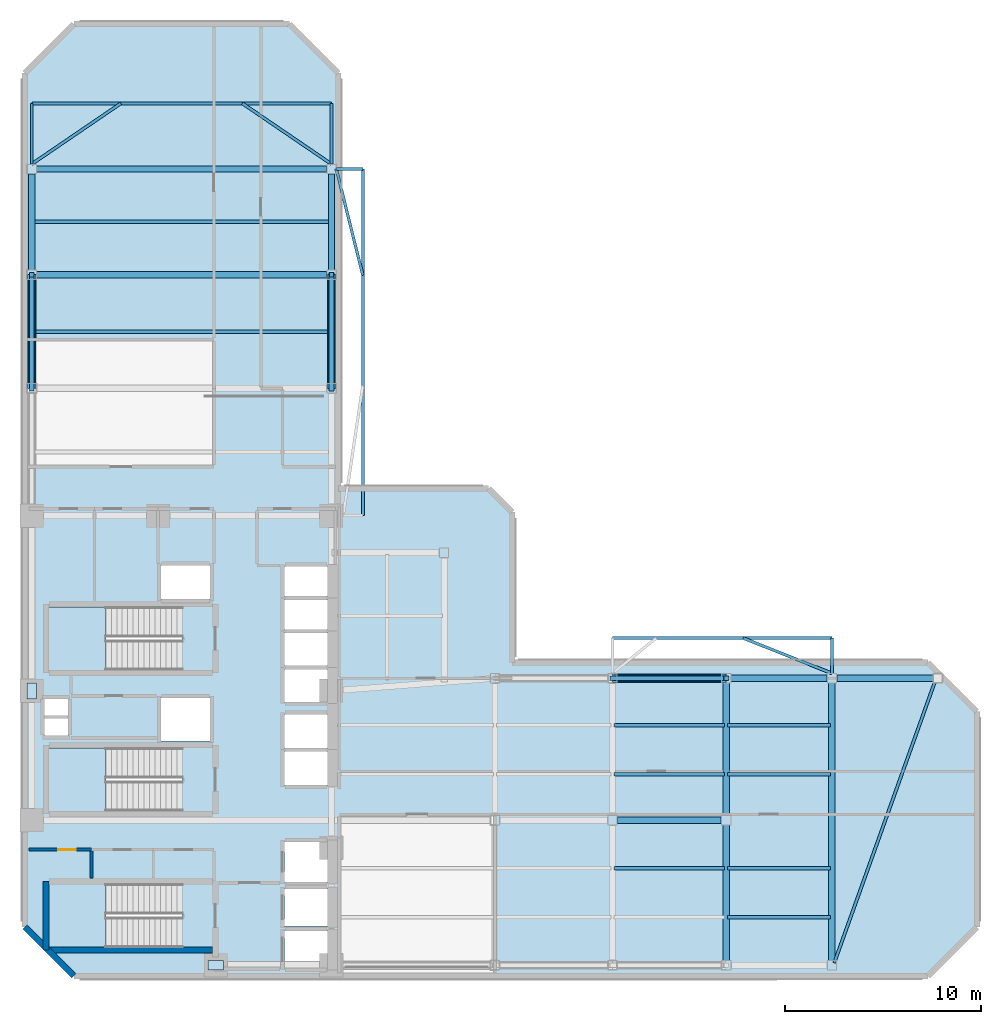
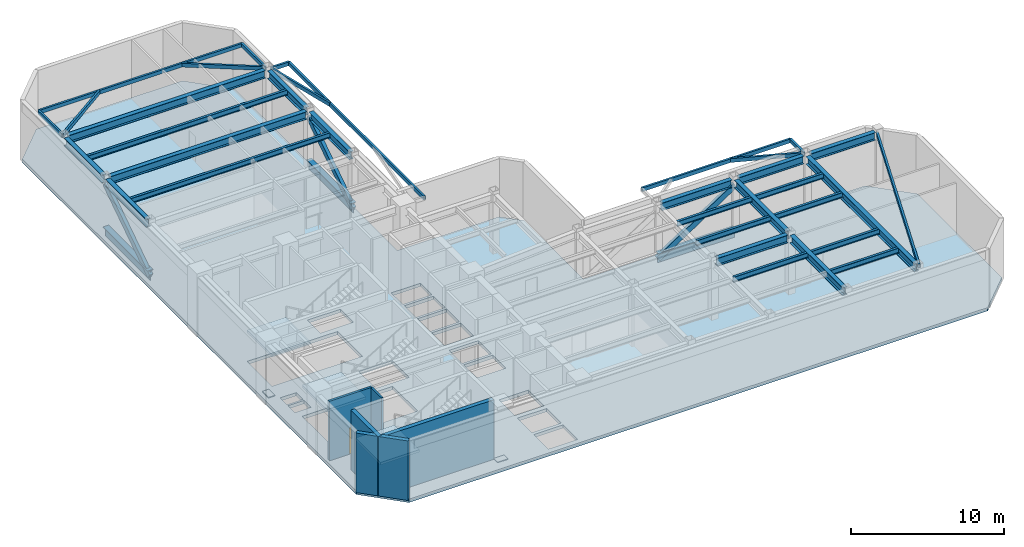
# One storey, part 2 of 9: 34 beams, 6 members, 5 walls, 4 slabs, 2 plates, 1 door, 1 opening, 3 elements without a shape of their own.
"""IFC4 building model written with IfcOpenShell, lengths in metres."""

from ifc_helpers import new_model, si_unit, direction, frame, frame_2d, origin, origin_2d, place, context, subcontext, project, spatial, polyline, rectangle, hollow_rectangle, i_section, outline, extrude, material, layer, layer_set, material_profile, profile_set, type_object, element, fill, aggregate, save


model = new_model("IFC4")

# Units and contexts
model_context = context("Model", 3, precision=1e-05, world=origin(), true_north=direction((0.0, 1.0)))
body_context = subcontext(model_context, "Body", "Model", "MODEL_VIEW")
ifc_project = project(units=[si_unit("LENGTHUNIT", "METRE"), si_unit("AREAUNIT", "SQUARE_METRE"), si_unit("VOLUMEUNIT", "CUBIC_METRE"), si_unit("PLANEANGLEUNIT", "RADIAN"), si_unit("MASSUNIT", "GRAM", prefix="KILO")], contexts=[model_context])

# Site, building, storey
site_placement = place(None, origin())
site = spatial("IfcSite", under=ifc_project, at=site_placement, CompositionType="ELEMENT")
building_placement = place(site_placement, origin())
building = spatial("IfcBuilding", under=site, at=building_placement, Name="Mawjaban Terraces University", CompositionType="ELEMENT")
storey_placement = place(building_placement, frame((0.0, 0.0, 165.800048828125)))
storey = spatial("IfcBuildingStorey", under=building, at=storey_placement, Name="L40", CompositionType="ELEMENT", Elevation=165.800048828125)

# Beams
ifc_material_1 = material(Name="Steel EN 10210-1 S355J2H", Category="steel")
ifc_material_profile_1 = material_profile(ifc_material_1, hollow_rectangle(XDim=0.14990234375, YDim=0.300048828125, WallThickness=0.012451171875, at=origin_2d()), Name="RHS300X150X12.5")
ifc_profile_set_1 = profile_set([ifc_material_profile_1], Name="Steel EN 10210-1 S355J2H")
beam_type_1 = type_object("IfcBeamType", Name="BalconyCantileverSpandrel_RHS", PredefinedType="SPANDREL", material=ifc_profile_set_1)
beam_1_placement = place(storey_placement, frame((63.199951171875, 15.449951171875, 4.58984375), z_axis=(0.0, 1.0, 0.0), x_axis=(-1.0, 0.0, 0.0)))
element("IfcBeam", 1, at=beam_1_placement, inside=storey, type_object=beam_type_1, Name="L40 Exterior Outrigger BAL-L41-N.2", PredefinedType="SPANDREL", context=body_context, shape_type="SweptSolid", body=[
    extrude(hollow_rectangle(XDim=0.14990234375, YDim=0.300048828125, WallThickness=0.012451171875, at=origin_2d()), origin(), (0.0, 0.0, 1.0), 1.800048828125),
])
beam_2_placement = place(storey_placement, frame((52.0, 17.25, 4.58984375), z_axis=(1.0, 0.0, 0.0), x_axis=(0.0, 1.0, 0.0)))
element("IfcBeam", 2, at=beam_2_placement, inside=storey, type_object=beam_type_1, Name="L40 Exterior Edge Spandrel BAL-L41-N", PredefinedType="SPANDREL", context=body_context, shape_type="SweptSolid", body=[
    extrude(hollow_rectangle(XDim=0.14990234375, YDim=0.300048828125, WallThickness=0.012451171875, at=origin_2d()), origin(), (0.0, 0.0, 1.0), 11.199951171875),
])
beam_3_placement = place(storey_placement, frame((63.199951171875, 15.449951171875, 4.58984375), z_axis=(-0.929320538258, 0.36927406783, 0.0), x_axis=(-0.36927406783, -0.929320538258, 0.0)))
element("IfcBeam", 3, at=beam_3_placement, inside=storey, type_object=beam_type_1, Name="L40 Exterior Diagonal Strut BAL-L41-N.2", PredefinedType="SPANDREL", context=body_context, shape_type="SweptSolid", body=[
    extrude(hollow_rectangle(XDim=0.14990234375, YDim=0.300048828125, WallThickness=0.012451171875, at=origin_2d()), origin(), (0.0, 0.0, 1.0), 4.87451171875),
])
beam_4_placement = place(storey_placement, frame((37.89990234375, 41.199951171875, 4.58984375), z_axis=(1.0, 0.0, 0.0), x_axis=(0.0, 1.0, 0.0)))
element("IfcBeam", 4, at=beam_4_placement, inside=storey, type_object=beam_type_1, Name="L40 Exterior Outrigger BAL-L41-E.2", PredefinedType="SPANDREL", context=body_context, shape_type="SweptSolid", body=[
    extrude(hollow_rectangle(XDim=0.14990234375, YDim=0.300048828125, WallThickness=0.012451171875, at=origin_2d()), origin(), (0.0, 0.0, 1.0), 1.35009765625),
])
beam_5_placement = place(storey_placement, frame((39.25, 23.5, 4.58984375), z_axis=(0.0, 1.0, 0.0), x_axis=(-1.0, 0.0, 0.0)))
element("IfcBeam", 5, at=beam_5_placement, inside=storey, type_object=beam_type_1, Name="L40 Exterior Edge Spandrel BAL-L41-E", PredefinedType="SPANDREL", context=body_context, shape_type="SweptSolid", body=[
    extrude(hollow_rectangle(XDim=0.14990234375, YDim=0.300048828125, WallThickness=0.012451171875, at=origin_2d()), origin(), (0.0, 0.0, 1.0), 17.699951171875),
])
beam_6_placement = place(storey_placement, frame((37.89990234375, 41.199951171875, 4.58984375), z_axis=(0.241293155296, -0.970452272503, 0.0), x_axis=(0.970452272503, 0.241293155296, 0.0)))
element("IfcBeam", 6, at=beam_6_placement, inside=storey, type_object=beam_type_1, Name="L40 Exterior Diagonal Strut BAL-L41-E.2", PredefinedType="SPANDREL", context=body_context, shape_type="SweptSolid", body=[
    extrude(hollow_rectangle(XDim=0.14990234375, YDim=0.300048828125, WallThickness=0.012451171875, at=origin_2d()), origin(), (0.0, 0.0, 1.0), 5.59521484375),
])
beam_7_placement = place(storey_placement, frame((63.320068359375, 0.669921875, 4.58984375), z_axis=(0.33711432134, 0.941463719082, 0.0), x_axis=(-0.941463719082, 0.33711432134, 0.0)))
element("IfcBeam", 7, at=beam_7_placement, inside=storey, type_object=beam_type_1, Name="L40 Setback Terrace Diagonal TER-L41-EAST.1", PredefinedType="SPANDREL", context=body_context, shape_type="SweptSolid", body=[
    extrude(hollow_rectangle(XDim=0.14990234375, YDim=0.300048828125, WallThickness=0.012451171875, at=origin_2d()), origin(), (0.0, 0.0, 1.0), 15.30615234375),
])
for number, where, z_axis, x_axis, name in (
    (8, (22.35009765625, 41.449951171875, 4.58984375), (0.0, 1.0, 0.0), (-1.0, 0.0, 0.0), "L40 Exterior Outrigger TER-L41-NORTH.1"),
    (9, (37.64990234375, 41.449951171875, 4.58984375), (0.0, 1.0, 0.0), (-1.0, 0.0, 0.0), "L40 Exterior Outrigger TER-L41-NORTH.2"),
):
    element("IfcBeam", number, at=place(storey_placement, frame(where, z_axis=z_axis, x_axis=x_axis)), inside=storey, type_object=beam_type_1, Name=name, PredefinedType="SPANDREL", context=body_context, shape_type="SweptSolid", body=[
        extrude(hollow_rectangle(XDim=0.14990234375, YDim=0.300048828125, WallThickness=0.012451171875, at=origin_2d()), origin(), (0.0, 0.0, 1.0), 3.10009765625),
    ])
beam_8_placement = place(storey_placement, frame((22.35009765625, 44.550048828125, 4.58984375), z_axis=(1.0, 0.0, 0.0), x_axis=(0.0, 1.0, 0.0)))
element("IfcBeam", 10, at=beam_8_placement, inside=storey, type_object=beam_type_1, Name="L40 Exterior Edge Spandrel TER-L41-NORTH", PredefinedType="SPANDREL", context=body_context, shape_type="SweptSolid", body=[
    extrude(hollow_rectangle(XDim=0.14990234375, YDim=0.300048828125, WallThickness=0.012451171875, at=origin_2d()), origin(), (0.0, 0.0, 1.0), 15.2998046875),
])
for number, where, z_axis, x_axis, name in (
    (11, (22.35009765625, 41.449951171875, 4.58984375), (0.826399927714, 0.563083616769, 0.0), (-0.563083616769, 0.826399927714, 0.0), "L40 Exterior Diagonal Strut TER-L41-NORTH.1"),
    (12, (37.64990234375, 41.449951171875, 4.58984375), (-0.826399927714, 0.563083616769, 0.0), (-0.563083616769, -0.826399927714, 0.0), "L40 Exterior Diagonal Strut TER-L41-NORTH.2"),
):
    element("IfcBeam", number, at=place(storey_placement, frame(where, z_axis=z_axis, x_axis=x_axis)), inside=storey, type_object=beam_type_1, Name=name, PredefinedType="SPANDREL", context=body_context, shape_type="SweptSolid", body=[
        extrude(hollow_rectangle(XDim=0.14990234375, YDim=0.300048828125, WallThickness=0.012451171875, at=origin_2d()), origin(), (0.0, 0.0, 1.0), 5.505615234375),
    ])
ifc_material_2 = material(Name="Steel ASTM A572 Grade 50", Category="steel")
ifc_material_profile_2 = material_profile(ifc_material_2, i_section(OverallWidth=0.324951171875, OverallDepth=0.615966796875, WebThickness=0.013916015625, FlangeThickness=0.021484375, at=origin_2d()), Name="W610X174")
ifc_profile_set_2 = profile_set([ifc_material_profile_2], Name="Steel ASTM A572 Grade 50")
beam_type_2 = type_object("IfcBeamType", Name="Beam_B_W610X174", PredefinedType="BEAM", material=ifc_profile_set_2)
for number, where, z_axis, x_axis, name in (
    (13, (52.25, 7.949951171875, 4.431884765625), (1.0, 0.0, 0.0), (0.0, 1.0, 0.0), "L40 Beam BM-L40-EW-07"),
    (14, (52.25, 15.199951171875, 4.431884765625), (1.0, 0.0, 0.0), (0.0, 1.0, 0.0), "L40 Beam BM-L40-EW-09"),
):
    element("IfcBeam", number, at=place(storey_placement, frame(where, z_axis=z_axis, x_axis=x_axis)), inside=storey, type_object=beam_type_2, Name=name, PredefinedType="BEAM", context=body_context, shape_type="SweptSolid", body=[
        extrude(i_section(OverallWidth=0.324951171875, OverallDepth=0.615966796875, WebThickness=0.013916015625, FlangeThickness=0.021484375, at=origin_2d()), origin(), (0.0, 0.0, 1.0), 5.300048828125),
    ])
beam_9_placement = place(storey_placement, frame((58.050048828125, 15.199951171875, 4.431884765625), z_axis=(1.0, 0.0, 0.0), x_axis=(0.0, 1.0, 0.0)))
element("IfcBeam", 15, at=beam_9_placement, inside=storey, type_object=beam_type_2, Name="L40 Beam BM-L40-EW-10", PredefinedType="BEAM", context=body_context, shape_type="SweptSolid", body=[
    extrude(i_section(OverallWidth=0.324951171875, OverallDepth=0.615966796875, WebThickness=0.013916015625, FlangeThickness=0.021484375, at=origin_2d()), origin(), (0.0, 0.0, 1.0), 4.89990234375),
])
beam_10_placement = place(storey_placement, frame((63.449951171875, 15.199951171875, 4.431884765625), z_axis=(1.0, 0.0, 0.0), x_axis=(0.0, 1.0, 0.0)))
element("IfcBeam", 16, at=beam_10_placement, inside=storey, type_object=beam_type_2, Name="L40 Beam BM-L40-EW-11", PredefinedType="BEAM", context=body_context, shape_type="SweptSolid", body=[
    extrude(i_section(OverallWidth=0.324951171875, OverallDepth=0.615966796875, WebThickness=0.013916015625, FlangeThickness=0.021484375, at=origin_2d()), origin(), (0.0, 0.0, 1.0), 4.900146484375),
])
for number, where, z_axis, x_axis, name in (
    (17, (22.60009765625, 35.800048828125, 4.431884765625), (1.0, 0.0, 0.0), (0.0, 1.0, 0.0), "L40 Beam BM-L40-EW-15"),
    (18, (22.60009765625, 41.199951171875, 4.431884765625), (1.0, 0.0, 0.0), (0.0, 1.0, 0.0), "L40 Beam BM-L40-EW-16"),
):
    element("IfcBeam", number, at=place(storey_placement, frame(where, z_axis=z_axis, x_axis=x_axis)), inside=storey, type_object=beam_type_2, Name=name, PredefinedType="BEAM", context=body_context, shape_type="SweptSolid", body=[
        extrude(i_section(OverallWidth=0.324951171875, OverallDepth=0.615966796875, WebThickness=0.013916015625, FlangeThickness=0.021484375, at=origin_2d()), origin(), (0.0, 0.0, 1.0), 14.7998046875),
    ])
beam_11_placement = place(storey_placement, frame((22.35009765625, 30.25, 4.431884765625), z_axis=(0.0, 1.0, 0.0), x_axis=(-1.0, 0.0, 0.0)))
element("IfcBeam", 19, at=beam_11_placement, inside=storey, type_object=beam_type_2, Name="L40 Beam BM-L40-NS-04", PredefinedType="BEAM", context=body_context, shape_type="SweptSolid", body=[
    extrude(i_section(OverallWidth=0.324951171875, OverallDepth=0.615966796875, WebThickness=0.013916015625, FlangeThickness=0.021484375, at=origin_2d()), origin(), (0.0, 0.0, 1.0), 5.300048828125),
])
beam_12_placement = place(storey_placement, frame((22.35009765625, 36.050048828125, 4.431884765625), z_axis=(0.0, 1.0, 0.0), x_axis=(-1.0, 0.0, 0.0)))
element("IfcBeam", 20, at=beam_12_placement, inside=storey, type_object=beam_type_2, Name="L40 Beam BM-L40-NS-05", PredefinedType="BEAM", context=body_context, shape_type="SweptSolid", body=[
    extrude(i_section(OverallWidth=0.324951171875, OverallDepth=0.615966796875, WebThickness=0.013916015625, FlangeThickness=0.021484375, at=origin_2d()), origin(), (0.0, 0.0, 1.0), 4.89990234375),
])
beam_13_placement = place(storey_placement, frame((37.64990234375, 30.25, 4.431884765625), z_axis=(0.0, 1.0, 0.0), x_axis=(-1.0, 0.0, 0.0)))
element("IfcBeam", 21, at=beam_13_placement, inside=storey, type_object=beam_type_2, Name="L40 Beam BM-L40-NS-10", PredefinedType="BEAM", context=body_context, shape_type="SweptSolid", body=[
    extrude(i_section(OverallWidth=0.324951171875, OverallDepth=0.615966796875, WebThickness=0.013916015625, FlangeThickness=0.021484375, at=origin_2d()), origin(), (0.0, 0.0, 1.0), 5.300048828125),
])
beam_14_placement = place(storey_placement, frame((37.64990234375, 36.050048828125, 4.431884765625), z_axis=(0.0, 1.0, 0.0), x_axis=(-1.0, 0.0, 0.0)))
element("IfcBeam", 22, at=beam_14_placement, inside=storey, type_object=beam_type_2, Name="L40 Beam BM-L40-NS-11", PredefinedType="BEAM", context=body_context, shape_type="SweptSolid", body=[
    extrude(i_section(OverallWidth=0.324951171875, OverallDepth=0.615966796875, WebThickness=0.013916015625, FlangeThickness=0.021484375, at=origin_2d()), origin(), (0.0, 0.0, 1.0), 4.89990234375),
])
beam_15_placement = place(storey_placement, frame((57.800048828125, 0.800048828125, 4.431884765625), z_axis=(0.0, 1.0, 0.0), x_axis=(-1.0, 0.0, 0.0)))
element("IfcBeam", 23, at=beam_15_placement, inside=storey, type_object=beam_type_2, Name="L40 Beam BM-L40-NS-16", PredefinedType="BEAM", context=body_context, shape_type="SweptSolid", body=[
    extrude(i_section(OverallWidth=0.324951171875, OverallDepth=0.615966796875, WebThickness=0.013916015625, FlangeThickness=0.021484375, at=origin_2d()), origin(), (0.0, 0.0, 1.0), 6.89990234375),
])
beam_16_placement = place(storey_placement, frame((57.800048828125, 8.199951171875, 4.431884765625), z_axis=(0.0, 1.0, 0.0), x_axis=(-1.0, 0.0, 0.0)))
element("IfcBeam", 24, at=beam_16_placement, inside=storey, type_object=beam_type_2, Name="L40 Beam BM-L40-NS-17", PredefinedType="BEAM", context=body_context, shape_type="SweptSolid", body=[
    extrude(i_section(OverallWidth=0.324951171875, OverallDepth=0.615966796875, WebThickness=0.013916015625, FlangeThickness=0.021484375, at=origin_2d()), origin(), (0.0, 0.0, 1.0), 6.75),
])
beam_17_placement = place(storey_placement, frame((63.199951171875, 0.800048828125, 4.431884765625), z_axis=(0.0, 1.0, 0.0), x_axis=(-1.0, 0.0, 0.0)))
element("IfcBeam", 25, at=beam_17_placement, inside=storey, type_object=beam_type_2, Name="L40 Beam BM-L40-NS-18", PredefinedType="BEAM", context=body_context, shape_type="SweptSolid", body=[
    extrude(i_section(OverallWidth=0.324951171875, OverallDepth=0.615966796875, WebThickness=0.013916015625, FlangeThickness=0.021484375, at=origin_2d()), origin(), (0.0, 0.0, 1.0), 14.14990234375),
])
ifc_material_profile_3 = material_profile(ifc_material_2, i_section(OverallWidth=0.179931640625, OverallDepth=0.4130859375, WebThickness=0.009765625, FlangeThickness=0.01611328125, at=origin_2d()), Name="W410X74")
ifc_profile_set_3 = profile_set([ifc_material_profile_3], Name="Steel ASTM A572 Grade 50")
beam_type_3 = type_object("IfcBeamType", Name="Beam_J_W410X74", PredefinedType="JOIST", material=ifc_profile_set_3)
beam_18_placement = place(storey_placement, frame((57.8798828125, 3.0, 4.532958984375), z_axis=(1.0, 0.0, 0.0), x_axis=(0.0, 1.0, 0.0)))
element("IfcBeam", 26, at=beam_18_placement, inside=storey, type_object=beam_type_3, Name="L40 Composite Joist JST-L40-04", PredefinedType="JOIST", context=body_context, shape_type="SweptSolid", body=[
    extrude(i_section(OverallWidth=0.179931640625, OverallDepth=0.4130859375, WebThickness=0.009765625, FlangeThickness=0.01611328125, at=origin_2d()), origin(), (0.0, 0.0, 1.0), 5.240234375),
])
beam_19_placement = place(storey_placement, frame((52.080078125, 5.5, 4.532958984375), z_axis=(1.0, 0.0, 0.0), x_axis=(0.0, 1.0, 0.0)))
element("IfcBeam", 27, at=beam_19_placement, inside=storey, type_object=beam_type_3, Name="L40 Composite Joist JST-L40-07", PredefinedType="JOIST", context=body_context, shape_type="SweptSolid", body=[
    extrude(i_section(OverallWidth=0.179931640625, OverallDepth=0.4130859375, WebThickness=0.009765625, FlangeThickness=0.01611328125, at=origin_2d()), origin(), (0.0, 0.0, 1.0), 5.639892578125),
])
beam_20_placement = place(storey_placement, frame((57.8798828125, 5.5, 4.532958984375), z_axis=(1.0, 0.0, 0.0), x_axis=(0.0, 1.0, 0.0)))
element("IfcBeam", 28, at=beam_20_placement, inside=storey, type_object=beam_type_3, Name="L40 Composite Joist JST-L40-08", PredefinedType="JOIST", context=body_context, shape_type="SweptSolid", body=[
    extrude(i_section(OverallWidth=0.179931640625, OverallDepth=0.4130859375, WebThickness=0.009765625, FlangeThickness=0.01611328125, at=origin_2d()), origin(), (0.0, 0.0, 1.0), 5.240234375),
])
beam_21_placement = place(storey_placement, frame((52.080078125, 10.300048828125, 4.532958984375), z_axis=(1.0, 0.0, 0.0), x_axis=(0.0, 1.0, 0.0)))
element("IfcBeam", 29, at=beam_21_placement, inside=storey, type_object=beam_type_3, Name="L40 Composite Joist JST-L40-11", PredefinedType="JOIST", context=body_context, shape_type="SweptSolid", body=[
    extrude(i_section(OverallWidth=0.179931640625, OverallDepth=0.4130859375, WebThickness=0.009765625, FlangeThickness=0.01611328125, at=origin_2d()), origin(), (0.0, 0.0, 1.0), 5.639892578125),
])
beam_22_placement = place(storey_placement, frame((57.8798828125, 10.300048828125, 4.532958984375), z_axis=(1.0, 0.0, 0.0), x_axis=(0.0, 1.0, 0.0)))
element("IfcBeam", 30, at=beam_22_placement, inside=storey, type_object=beam_type_3, Name="L40 Composite Joist JST-L40-12", PredefinedType="JOIST", context=body_context, shape_type="SweptSolid", body=[
    extrude(i_section(OverallWidth=0.179931640625, OverallDepth=0.4130859375, WebThickness=0.009765625, FlangeThickness=0.01611328125, at=origin_2d()), origin(), (0.0, 0.0, 1.0), 5.240234375),
])
beam_23_placement = place(storey_placement, frame((52.080078125, 12.800048828125, 4.532958984375), z_axis=(1.0, 0.0, 0.0), x_axis=(0.0, 1.0, 0.0)))
element("IfcBeam", 31, at=beam_23_placement, inside=storey, type_object=beam_type_3, Name="L40 Composite Joist JST-L40-15", PredefinedType="JOIST", context=body_context, shape_type="SweptSolid", body=[
    extrude(i_section(OverallWidth=0.179931640625, OverallDepth=0.4130859375, WebThickness=0.009765625, FlangeThickness=0.01611328125, at=origin_2d()), origin(), (0.0, 0.0, 1.0), 5.639892578125),
])
beam_24_placement = place(storey_placement, frame((57.8798828125, 12.800048828125, 4.532958984375), z_axis=(1.0, 0.0, 0.0), x_axis=(0.0, 1.0, 0.0)))
element("IfcBeam", 32, at=beam_24_placement, inside=storey, type_object=beam_type_3, Name="L40 Composite Joist JST-L40-16", PredefinedType="JOIST", context=body_context, shape_type="SweptSolid", body=[
    extrude(i_section(OverallWidth=0.179931640625, OverallDepth=0.4130859375, WebThickness=0.009765625, FlangeThickness=0.01611328125, at=origin_2d()), origin(), (0.0, 0.0, 1.0), 5.240234375),
])
for number, where, z_axis, x_axis, name in (
    (33, (22.429931640625, 32.89990234375, 4.532958984375), (1.0, 0.0, 0.0), (0.0, 1.0, 0.0), "L40 Composite Joist JST-L40-19"),
    (34, (22.429931640625, 38.5, 4.532958984375), (1.0, 0.0, 0.0), (0.0, 1.0, 0.0), "L40 Composite Joist JST-L40-20"),
):
    element("IfcBeam", number, at=place(storey_placement, frame(where, z_axis=z_axis, x_axis=x_axis)), inside=storey, type_object=beam_type_3, Name=name, PredefinedType="JOIST", context=body_context, shape_type="SweptSolid", body=[
        extrude(i_section(OverallWidth=0.179931640625, OverallDepth=0.4130859375, WebThickness=0.009765625, FlangeThickness=0.01611328125, at=origin_2d()), origin(), (0.0, 0.0, 1.0), 15.14013671875),
    ])

# Members
ifc_material_3 = material(Name="Steel ASTM A913 Grade 65", Category="steel")
ifc_material_profile_4 = material_profile(ifc_material_3, hollow_rectangle(XDim=0.25, YDim=0.449951171875, WallThickness=0.01611328125, at=origin_2d()), Name="RHS450X250X16")
ifc_profile_set_4 = profile_set([ifc_material_profile_4], Name="Steel ASTM A913 Grade 65")
member_type_1 = type_object("IfcMemberType", Name="Mem_BRACE_RHS450X250X16", PredefinedType="BRACE", material=ifc_profile_set_4)
for number, where, z_axis, x_axis, name in (
    (35, (52.0, 15.199951171875, 0.349853515625), (0.833811754242, 0.0, 0.552048873278), (0.0, 1.0, 0.0), "L40 Belt Truss Brace BE3"),
    (36, (22.35009765625, 30.0, 0.349853515625), (0.0, 0.833811754242, 0.552048873278), (-1.0, 0.0, 0.0), "L40 Belt Truss Brace BW2"),
    (37, (37.64990234375, 30.0, 0.349853515625), (0.0, 0.833811754242, 0.552048873278), (-1.0, 0.0, 0.0), "L40 Belt Truss Brace BN2"),
):
    element("IfcMember", number, at=place(storey_placement, frame(where, z_axis=z_axis, x_axis=x_axis)), inside=storey, type_object=member_type_1, Name=name, PredefinedType="BRACE", context=body_context, shape_type="SweptSolid", body=[
        extrude(hollow_rectangle(XDim=0.25, YDim=0.449951171875, WallThickness=0.01611328125, at=origin_2d()), origin(), (0.0, 0.0, 1.0), 6.9560546875),
    ])
ifc_material_profile_5 = material_profile(ifc_material_3, i_section(OverallWidth=0.41796875, OverallDepth=0.912109375, WebThickness=0.019287109375, FlangeThickness=0.031982421875, at=origin_2d()), Name="W920X342")
ifc_profile_set_5 = profile_set([ifc_material_profile_5], Name="Steel ASTM A913 Grade 65")
member_type_2 = type_object("IfcMemberType", Name="Mem_CHORD_W920X342", PredefinedType="CHORD", material=ifc_profile_set_5)
for number, where, z_axis, x_axis, name in (
    (38, (52.0, 15.199951171875, 0.349853515625), (1.0, 0.0, 0.0), (0.0, 1.0, 0.0), "L40 Belt Truss Chord BE3"),
    (39, (22.35009765625, 30.0, 0.349853515625), (0.0, 1.0, 0.0), (-1.0, 0.0, 0.0), "L40 Belt Truss Chord BW2"),
    (40, (37.64990234375, 30.0, 0.349853515625), (0.0, 1.0, 0.0), (-1.0, 0.0, 0.0), "L40 Belt Truss Chord BN2"),
):
    element("IfcMember", number, at=place(storey_placement, frame(where, z_axis=z_axis, x_axis=x_axis)), inside=storey, type_object=member_type_2, Name=name, PredefinedType="CHORD", context=body_context, shape_type="SweptSolid", body=[
        extrude(i_section(OverallWidth=0.41796875, OverallDepth=0.912109375, WebThickness=0.019287109375, FlangeThickness=0.031982421875, at=origin_2d()), origin(), (0.0, 0.0, 1.0), 5.800048828125),
    ])

# Slab
ifc_material_4 = material(Name="Concrete C40/50", Category="concrete")
ifc_layer_1 = layer(ifc_material_4, 0.260009765625)
ifc_layer_set_1 = layer_set([ifc_layer_1], Name="Concrete C40/50")
slab_type_1 = type_object("IfcSlabType", Name="DiaphragmSlab_260", PredefinedType="FLOOR", material=ifc_layer_set_1)
slab_1_placement = place(storey_placement, frame((0.0, 0.0, -0.260009765625)))
element("IfcSlab", 41, at=slab_1_placement, inside=storey, type_object=slab_type_1, Name="L40 Primary Structural Slab", PredefinedType="FLOOR", context=body_context, shape_type="SweptSolid", body=[
    extrude(outline(polyline([(24.5, 0.0), (68.10009765625, 0.0), (70.60009765625, 2.5), (70.60009765625, 13.5), (68.10009765625, 16.0), (46.8798828125, 16.0), (46.8798828125, 23.679931640625), (45.679931640625, 24.8798828125), (38.0, 24.8798828125), (38.0, 46.10009765625), (35.5, 48.60009765625), (24.5, 48.60009765625), (22.0, 46.10009765625), (22.0, 2.5), (24.5, 0.0)]), holes=[polyline([(30.014892578125, 4.699951171875), (23.199951171875, 4.699951171875), (23.199951171875, 1.449951171875), (30.014892578125, 1.449951171875), (30.014892578125, 4.699951171875)]), polyline([(30.014892578125, 18.85009765625), (23.199951171875, 18.85009765625), (23.199951171875, 15.60009765625), (30.014892578125, 15.60009765625), (30.014892578125, 18.85009765625)]), polyline([(30.014892578125, 11.64990234375), (23.199951171875, 11.64990234375), (23.199951171875, 8.39990234375), (30.014892578125, 8.39990234375), (30.014892578125, 11.64990234375)]), polyline([(35.25, 0.39990234375), (37.449951171875, 0.39990234375), (37.449951171875, 2.300048828125), (35.25, 2.300048828125), (35.25, 0.39990234375)]), polyline([(35.25, 2.550048828125), (37.449951171875, 2.550048828125), (37.449951171875, 4.449951171875), (35.25, 4.449951171875), (35.25, 2.550048828125)]), polyline([(35.25, 4.800048828125), (37.449951171875, 4.800048828125), (37.449951171875, 6.85009765625), (35.25, 6.85009765625), (35.25, 4.800048828125)]), polyline([(35.25, 9.75), (37.449951171875, 9.75), (37.449951171875, 11.449951171875), (35.25, 11.449951171875), (35.25, 9.75)]), polyline([(35.25, 11.64990234375), (37.449951171875, 11.64990234375), (37.449951171875, 13.35009765625), (35.25, 13.35009765625), (35.25, 11.64990234375)]), polyline([(28.949951171875, 12.0), (31.449951171875, 12.0), (31.449951171875, 14.199951171875), (28.949951171875, 14.199951171875), (28.949951171875, 12.0)]), polyline([(35.25, 14.0), (37.449951171875, 14.0), (37.449951171875, 15.64990234375), (35.25, 15.64990234375), (35.25, 14.0)]), polyline([(35.25, 15.85009765625), (37.449951171875, 15.85009765625), (37.449951171875, 17.5), (35.25, 17.5), (35.25, 15.85009765625)]), polyline([(35.25, 17.699951171875), (37.449951171875, 17.699951171875), (37.449951171875, 19.199951171875), (35.25, 19.199951171875), (35.25, 17.699951171875)]), polyline([(35.25, 19.39990234375), (37.449951171875, 19.39990234375), (37.449951171875, 20.89990234375), (35.25, 20.89990234375), (35.25, 19.39990234375)]), polyline([(28.949951171875, 19.25), (31.449951171875, 19.25), (31.449951171875, 20.949951171875), (28.949951171875, 20.949951171875), (28.949951171875, 19.25)]), polyline([(23.0, 12.25), (24.199951171875, 12.25), (24.199951171875, 13.14990234375), (23.0, 13.14990234375), (23.0, 12.25)]), polyline([(23.0, 13.300048828125), (24.199951171875, 13.300048828125), (24.199951171875, 14.179931640625), (23.0, 14.179931640625), (23.0, 13.300048828125)])]), origin(), (0.0, 0.0, 1.0), 0.260009765625),
])

# Plates
ifc_layer_2 = layer(ifc_material_2, 0.050048828125)
ifc_layer_set_2 = layer_set([ifc_layer_2], Name="Steel ASTM A572 Grade 50")
plate_type = type_object("IfcPlateType", Name="OutriggerEmbedPlate_50", PredefinedType="USERDEFINED", material=ifc_layer_set_2)
for number, where, z_axis, x_axis, name in (
    (42, (31.75, 0.550048828125, 0.32470703125), (0.0, 0.0, 1.0), (1.0, 0.0, 0.0), "L40 Outrigger Core Embed Plate OUT-E1"),
    (43, (22.35009765625, 14.550048828125, 0.32470703125), (0.0, 0.0, 1.0), (0.0, 1.0, 0.0), "L40 Outrigger Core Embed Plate OUT-N1"),
):
    element("IfcPlate", number, at=place(storey_placement, frame(where, z_axis=z_axis, x_axis=x_axis)), inside=storey, type_object=plate_type, Name=name, ObjectType="GUSSET_PLATE", PredefinedType="USERDEFINED", context=body_context, shape_type="SweptSolid", body=[
        extrude(rectangle(XDim=0.800048828125, YDim=0.5, at=origin_2d()), origin(), (0.0, 0.0, 1.0), 0.050048828125),
    ])

# Stair, slab
stair_type = type_object("IfcStairType", Name="Stair_Core1550_H50", PredefinedType="HALF_TURN_STAIR", material=ifc_material_4)
stair_1_placement = place(storey_placement, origin())
stair_1 = element("IfcStair", 44, at=stair_1_placement, inside=storey, type_object=stair_type, Name="L40 Core Exit Stair 1", PredefinedType="HALF_TURN_STAIR")
ifc_layer_3 = layer(ifc_material_4, 0.199951171875)
ifc_layer_set_3 = layer_set([ifc_layer_3], Name="Concrete C40/50")
slab_type_2 = type_object("IfcSlabType", Name="StairLandingSlab_200", PredefinedType="LANDING", material=ifc_layer_set_3)
slab_2_placement = place(storey_placement, frame((0.0, 0.0, 2.300048828125)))
slab_2 = element("IfcSlab", 45, at=slab_2_placement, type_object=slab_type_2, Name="ST-1 landing 1", PredefinedType="LANDING", context=body_context, shape_type="SweptSolid", body=[
    extrude(outline(polyline([(26.1298828125, 4.699951171875), (23.199951171875, 4.699951171875), (23.199951171875, 1.449951171875), (26.1298828125, 1.449951171875), (26.1298828125, 4.699951171875)])), origin(), (0.0, 0.0, 1.0), 0.199951171875),
])
aggregate(stair_1, [slab_2])

stair_2_placement = place(storey_placement, origin())
stair_2 = element("IfcStair", 46, at=stair_2_placement, inside=storey, type_object=stair_type, Name="L40 Core Exit Stair 2", PredefinedType="HALF_TURN_STAIR")
slab_3_placement = place(storey_placement, frame((0.0, 0.0, 2.300048828125)))
slab_3 = element("IfcSlab", 47, at=slab_3_placement, type_object=slab_type_2, Name="ST-2 landing 1", PredefinedType="LANDING", context=body_context, shape_type="SweptSolid", body=[
    extrude(outline(polyline([(26.1298828125, 18.85009765625), (23.199951171875, 18.85009765625), (23.199951171875, 15.60009765625), (26.1298828125, 15.60009765625), (26.1298828125, 18.85009765625)])), origin(), (0.0, 0.0, 1.0), 0.199951171875),
])
aggregate(stair_2, [slab_3])

stair_3_placement = place(storey_placement, origin())
stair_3 = element("IfcStair", 48, at=stair_3_placement, inside=storey, type_object=stair_type, Name="L40 Core Exit Stair 3", PredefinedType="HALF_TURN_STAIR")
slab_4_placement = place(storey_placement, frame((0.0, 0.0, 2.300048828125)))
slab_4 = element("IfcSlab", 49, at=slab_4_placement, type_object=slab_type_2, Name="ST-3 landing 1", PredefinedType="LANDING", context=body_context, shape_type="SweptSolid", body=[
    extrude(outline(polyline([(26.1298828125, 11.64990234375), (23.199951171875, 11.64990234375), (23.199951171875, 8.39990234375), (26.1298828125, 8.39990234375), (26.1298828125, 11.64990234375)])), origin(), (0.0, 0.0, 1.0), 0.199951171875),
])
aggregate(stair_3, [slab_4])

# Wall, opening, door
ifc_material_5 = material(Name="Fire-rated gypsum board on steel stud", Category="steel")
ifc_layer_4 = layer(ifc_material_5, 0.159912109375)
ifc_layer_set_4 = layer_set([ifc_layer_4], Name="Fire-rated gypsum board on steel stud")
wall_type_1 = type_object("IfcWallType", Name="CorridorPartition_160", PredefinedType="PARTITIONING", material=ifc_layer_set_4)
wall_1_placement = place(storey_placement, frame((22.199951171875, 6.449951171875, 0.0), z_axis=(0.0, 0.0, 1.0), x_axis=(1.0, 0.0, 0.0)))
wall_1 = element("IfcWall", 50, at=wall_1_placement, inside=storey, type_object=wall_type_1, Name="L40 Core Washroom Lobby Partition 1", PredefinedType="PARTITIONING", context=body_context, shape_type="SweptSolid", body=[
    extrude(rectangle(XDim=3.199951171875, YDim=0.159912109375, at=frame_2d((1.60009765625, 0.0))), origin(), (0.0, 0.0, 1.0), 4.739990234375),
])
opening_placement = place(wall_1_placement, frame((1.510009765625, 0.0, 0.0)))
opening = element("IfcOpeningElement", 51, at=opening_placement, cuts=wall_1, Name="Opening ID-088", PredefinedType="OPENING", context=body_context, shape_type="SweptSolid", body=[
    extrude(rectangle(XDim=0.8798828125, YDim=2.10009765625, at=frame_2d((0.43994140625, 1.050048828125))), frame((0.0, 0.08984375, 0.0), z_axis=(0.0, -1.0, 0.0), x_axis=(1.0, 0.0, 0.0)), (0.0, 0.0, 1.0), 0.179931640625),
])
ifc_material_6 = material(Name="Powder-coated steel frame and solid acoustic timber leaf", Category="steel")
door_type = type_object("IfcDoorType", Name="ToiletDoor_880x2100", OperationType="NOTDEFINED", PredefinedType="DOOR", material=ifc_material_6)
door_placement = place(opening_placement, origin())
door = element("IfcDoor", 52, at=door_placement, inside=storey, type_object=door_type, Name="L40 Male Toilet Door", OperationType="SINGLE_SWING_LEFT", OverallHeight=2.10009765625, OverallWidth=0.8798828125, PredefinedType="DOOR", context=body_context, shape_type="SweptSolid", body=[
    extrude(rectangle(XDim=0.8798828125, YDim=2.10009765625, at=frame_2d((0.43994140625, 1.050048828125))), frame((0.0, 0.02490234375, 0.0), z_axis=(0.0, -1.0, 0.0), x_axis=(1.0, 0.0, 0.0)), (0.0, 0.0, 1.0), 0.050048828125),
])
fill(opening, door)

# Walls
ifc_material_7 = material(Name="Insulated terracotta rainscreen on concrete backup C40/50", Category="masonry")
ifc_layer_5 = layer(ifc_material_7, 0.300048828125)
ifc_layer_set_5 = layer_set([ifc_layer_5], Name="Insulated terracotta rainscreen on concrete backup C40/50")
wall_type_2 = type_object("IfcWallType", Name="ExtTerracottaWall_300", PredefinedType="SOLIDWALL", material=ifc_layer_set_5)
wall_2_placement = place(storey_placement, frame((22.0, 2.5, 0.0), z_axis=(0.0, 0.0, 1.0), x_axis=(0.707106781187, -0.707106781187, 0.0)))
element("IfcWall", 53, at=wall_2_placement, inside=storey, type_object=wall_type_2, Name="L40 Exterior Terracotta Wall 14", PredefinedType="SOLIDWALL", context=body_context, shape_type="SweptSolid", body=[
    extrude(rectangle(XDim=3.53564453125, YDim=0.300048828125, at=frame_2d((1.767822265625, 0.0))), origin(), (0.0, 0.0, 1.0), 4.739990234375),
])
ifc_material_8 = material(Name="Concrete C60/75", Category="concrete")
ifc_layer_6 = layer(ifc_material_8, 0.300048828125)
ifc_layer_set_6 = layer_set([ifc_layer_6], Name="Concrete C60/75")
wall_type_3 = type_object("IfcWallType", Name="StairShaftWall_300", PredefinedType="SHEAR", material=ifc_layer_set_6)
wall_3_placement = place(storey_placement, frame((23.070068359375, 4.830078125, 0.0), z_axis=(0.0, 0.0, 1.0), x_axis=(0.0, -1.0, 0.0)))
element("IfcWall", 54, at=wall_3_placement, inside=storey, type_object=wall_type_3, Name="L40 ST-1 Stair Shaft Wall 2", PredefinedType="SHEAR", context=body_context, shape_type="SweptSolid", body=[
    extrude(rectangle(XDim=3.510009765625, YDim=0.300048828125, at=frame_2d((1.7548828125, 0.0))), origin(), (0.0, 0.0, 1.0), 4.739990234375),
])
wall_4_placement = place(storey_placement, frame((23.219970703125, 1.320068359375, 0.0), z_axis=(0.0, 0.0, 1.0), x_axis=(1.0, 0.0, 0.0)))
element("IfcWall", 55, at=wall_4_placement, inside=storey, type_object=wall_type_3, Name="L40 ST-1 Stair Shaft Wall 3", PredefinedType="SHEAR", context=body_context, shape_type="SweptSolid", body=[
    extrude(rectangle(XDim=8.360107421875, YDim=0.300048828125, at=frame_2d((4.18017578125, 0.0))), origin(), (0.0, 0.0, 1.0), 4.739990234375),
])
ifc_material_9 = material(Name="Cement-board wet-room partition", Category="masonry")
ifc_layer_7 = layer(ifc_material_9, 0.135009765625)
ifc_layer_set_7 = layer_set([ifc_layer_7], Name="Cement-board wet-room partition")
wall_type_4 = type_object("IfcWallType", Name="WetRoomPartition_135", PredefinedType="PARTITIONING", material=ifc_layer_set_7)
wall_5_placement = place(storey_placement, frame((25.39990234375, 5.010009765625, 0.0), z_axis=(0.0, 0.0, 1.0), x_axis=(0.0, 1.0, 0.0)))
element("IfcWall", 56, at=wall_5_placement, inside=storey, type_object=wall_type_4, Name="L40 Male Toilet Partition 23", PredefinedType="PARTITIONING", context=body_context, shape_type="SweptSolid", body=[
    extrude(rectangle(XDim=1.364990234375, YDim=0.135009765625, at=frame_2d((0.6826171875, 0.0))), origin(), (0.0, 0.0, 1.0), 4.739990234375),
])

save(model, "model.ifc")
